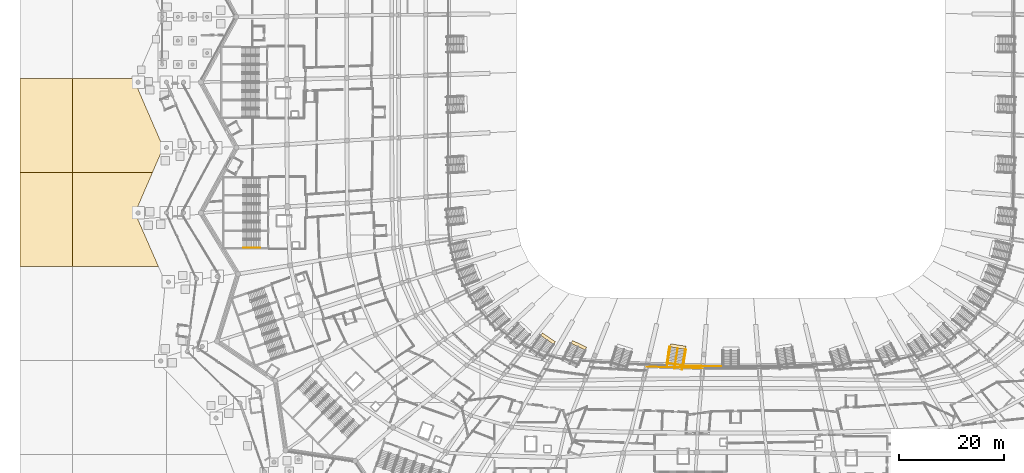
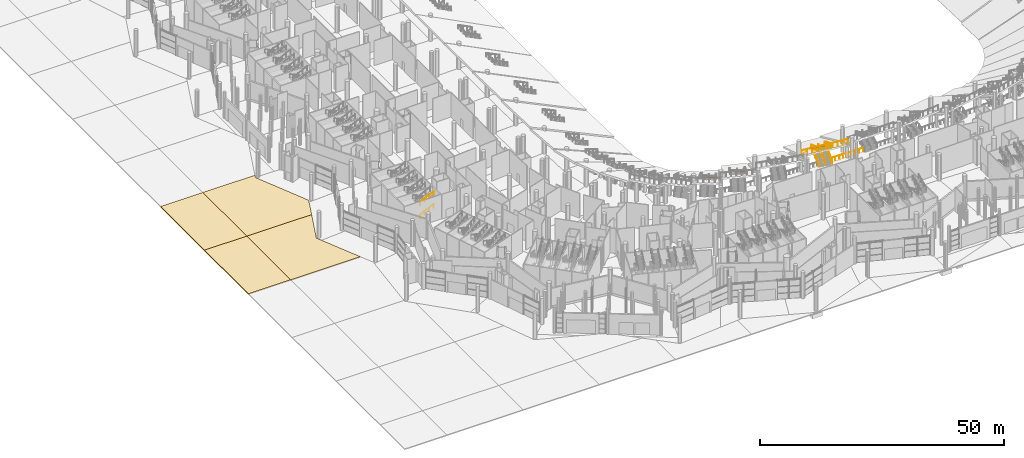
# One storey, part 196 of 255: 8 railings, 7 coverings.
"""IFC4 building model written with IfcOpenShell, lengths in metres."""

from ifc_helpers import new_model, si_unit, direction, frame, origin, origin_2d, place, context, subcontext, project, spatial, polyline, rectangle, circle, outline, extrude, material, layer, layer_set, type_object, element, save


model = new_model("IFC4")

# Units and contexts
model_context = context("Model", 3, precision=1e-05, world=origin(), true_north=direction((0.0, 1.0)))
body_context = subcontext(model_context, "Body", "Model", "MODEL_VIEW")
ifc_project = project(units=[si_unit("LENGTHUNIT", "METRE"), si_unit("AREAUNIT", "SQUARE_METRE"), si_unit("VOLUMEUNIT", "CUBIC_METRE"), si_unit("PLANEANGLEUNIT", "RADIAN"), si_unit("MASSUNIT", "GRAM", prefix="KILO")], contexts=[model_context])

# Site, building, storey
site_placement = place(None, origin())
site = spatial("IfcSite", under=ifc_project, at=site_placement, CompositionType="ELEMENT")
building_placement = place(site_placement, origin())
building = spatial("IfcBuilding", under=site, at=building_placement, Name="Meseta Stadium", CompositionType="ELEMENT")
storey_placement = place(building_placement, origin())
storey = spatial("IfcBuildingStorey", under=building, at=storey_placement, Name="L00", CompositionType="ELEMENT", Elevation=0.0)

# Coverings
ifc_material_1 = material(Name="Guadarrama granite paving on bedding", Category="masonry")
ifc_layer_1 = layer(ifc_material_1, 0.25)
ifc_layer_set_1 = layer_set([ifc_layer_1], Name="Ground paving 250")
covering_type_1 = type_object("IfcCoveringType", Name="Ground paving 250", PredefinedType="FLOORING", material=ifc_layer_set_1)
covering_1_placement = place(storey_placement, frame((0.0, 0.0, -0.25)))
element("IfcCovering", 1, at=covering_1_placement, inside=storey, type_object=covering_type_1, Name="Forecourt paving 25", PredefinedType="FLOORING", context=body_context, shape_type="SweptSolid", body=[
    extrude(outline(polyline([(-109.521240234375, -54.0), (-114.0, -43.75), (-110.652099609375, -36.0), (-126.0, -36.0), (-126.0, -54.0), (-109.521240234375, -54.0)])), origin(), (0.0, 0.0, 1.0), 0.25),
])
covering_2_placement = place(storey_placement, frame((0.0, 0.0, -0.25)))
element("IfcCovering", 2, at=covering_2_placement, inside=storey, type_object=covering_type_1, Name="Forecourt paving 26", PredefinedType="FLOORING", context=body_context, shape_type="SweptSolid", body=[
    extrude(outline(polyline([(-136.0, -36.0), (-136.0, -54.0), (-126.0, -54.0), (-126.0, -36.0), (-136.0, -36.0)])), origin(), (0.0, 0.0, 1.0), 0.25),
])
covering_3_placement = place(storey_placement, frame((0.0, 0.0, -0.25)))
element("IfcCovering", 3, at=covering_3_placement, inside=storey, type_object=covering_type_1, Name="Forecourt paving 28", PredefinedType="FLOORING", context=body_context, shape_type="SweptSolid", body=[
    extrude(outline(polyline([(-110.652099609375, -36.0), (-108.60009765625, -31.25), (-114.0, -18.75), (-113.676025390625, -18.0), (-126.0, -18.0), (-126.0, -36.0), (-110.652099609375, -36.0)])), origin(), (0.0, 0.0, 1.0), 0.25),
])
covering_4_placement = place(storey_placement, frame((0.0, 0.0, -0.25)))
element("IfcCovering", 4, at=covering_4_placement, inside=storey, type_object=covering_type_1, Name="Forecourt paving 29", PredefinedType="FLOORING", context=body_context, shape_type="SweptSolid", body=[
    extrude(outline(polyline([(-136.0, -18.0), (-136.0, -36.0), (-126.0, -36.0), (-126.0, -18.0), (-136.0, -18.0)])), origin(), (0.0, 0.0, 1.0), 0.25),
])

# Railings
ifc_material_2 = material(Name="Steel S355", Category="steel")
railing_type_1 = type_object("IfcRailingType", Name="Plate edge guard 1100", PredefinedType="GUARDRAIL", material=ifc_material_2)
railing_1_placement = place(storey_placement, frame((-9.12841796875, -72.982421875, 0.0)))
element("IfcRailing", 5, at=railing_1_placement, inside=storey, type_object=railing_type_1, Name="L00 inner edge guard 47", PredefinedType="GUARDRAIL", context=body_context, shape_type="SweptSolid", body=[
    extrude(circle(Radius=0.02490234375, at=origin_2d()), frame((0.0, 0.0, 1.0751953125), z_axis=(0.999737298967, -0.022920145151, 0.0), x_axis=(0.022920145151, 0.999737298967, 0.0)), (0.0, 0.0, 1.0), 1.981201171875),
    extrude(circle(Radius=0.02490234375, at=origin_2d()), frame((1.980712890625, -0.04541015625, 1.0751953125), z_axis=(0.99984668871, -0.017509970742, 0.0), x_axis=(0.017509970742, 0.99984668871, 0.0)), (0.0, 0.0, 1.0), 1.78466796875),
    extrude(circle(Radius=0.02490234375, at=origin_2d()), frame((3.76513671875, -0.07666015625, 1.0751953125), z_axis=(0.99991923612, -0.012709100582, 0.0), x_axis=(0.012709100582, 0.99991923612, 0.0)), (0.0, 0.0, 1.0), 1.78662109375),
    extrude(circle(Radius=0.02490234375, at=origin_2d()), frame((5.551513671875, -0.099365234375, 1.0751953125), z_axis=(0.999975107636, -0.007055785431, 0.0), x_axis=(0.007055785431, 0.999975107636, 0.0)), (0.0, 0.0, 1.0), 2.0068359375),
    extrude(circle(Radius=0.02001953125, at=origin_2d()), origin(), (0.0, 0.0, 1.0), 1.050048828125),
    extrude(circle(Radius=0.02001953125, at=origin_2d()), frame((0.990234375, -0.022705078125, 0.0)), (0.0, 0.0, 1.0), 1.050048828125),
    extrude(circle(Radius=0.02001953125, at=origin_2d()), frame((1.980712890625, -0.04541015625, 0.0)), (0.0, 0.0, 1.0), 1.050048828125),
    extrude(circle(Radius=0.02001953125, at=origin_2d()), frame((2.873046875, -0.06103515625, 0.0)), (0.0, 0.0, 1.0), 1.050048828125),
    extrude(circle(Radius=0.02001953125, at=origin_2d()), frame((3.76513671875, -0.07666015625, 0.0)), (0.0, 0.0, 1.0), 1.050048828125),
    extrude(circle(Radius=0.02001953125, at=origin_2d()), frame((4.658203125, -0.087890625, 0.0)), (0.0, 0.0, 1.0), 1.050048828125),
    extrude(circle(Radius=0.02001953125, at=origin_2d()), frame((5.551513671875, -0.099365234375, 0.0)), (0.0, 0.0, 1.0), 1.050048828125),
    extrude(circle(Radius=0.02001953125, at=origin_2d()), frame((6.554931640625, -0.1064453125, 0.0)), (0.0, 0.0, 1.0), 1.050048828125),
    extrude(circle(Radius=0.02001953125, at=origin_2d()), frame((7.558349609375, -0.113525390625, 0.0)), (0.0, 0.0, 1.0), 1.050048828125),
])
ifc_material_3 = material(Name="Steel S355", Category="steel")
railing_type_2 = type_object("IfcRailingType", Name="Stair handrail 900", PredefinedType="HANDRAIL", material=ifc_material_3)
for number, where, name in (
    (6, (-93.300048828125, -50.39990234375, 1.772705078125), "ST76 L00 handrail 2"),
    (7, (-93.300048828125, -50.39990234375, 5.022705078125), "ST76 L00 handrail 4"),
):
    element("IfcRailing", number, at=place(storey_placement, frame(where)), inside=storey, type_object=railing_type_2, Name=name, PredefinedType="HANDRAIL", context=body_context, shape_type="SweptSolid", body=[
        extrude(circle(Radius=0.02392578125, at=origin_2d()), frame((0.0, 0.0, 0.8759765625), z_axis=(0.907916804346, 0.0, 0.419150422148), x_axis=(0.0, 1.0, 0.0)), (0.0, 0.0, 1.0), 3.5244140625),
        extrude(circle(Radius=0.02099609375, at=origin_2d()), origin(), (0.0, 0.0, 1.0), 0.851806640625),
        extrude(circle(Radius=0.02099609375, at=origin_2d()), frame((1.066650390625, 0.0, 0.492431640625)), (0.0, 0.0, 1.0), 0.851806640625),
        extrude(circle(Radius=0.02099609375, at=origin_2d()), frame((2.13330078125, 0.0, 0.98486328125)), (0.0, 0.0, 1.0), 0.851806640625),
        extrude(circle(Radius=0.02099609375, at=origin_2d()), frame((3.199951171875, 0.0, 1.477294921875)), (0.0, 0.0, 1.0), 0.851806640625),
    ])
ifc_material_4 = material(Name="Steel S355", Category="steel")
railing_type_3 = type_object("IfcRailingType", Name="Stand rear guard 1300", PredefinedType="GUARDRAIL", material=ifc_material_4)
railing_2_placement = place(storey_placement, frame((-16.126953125, -73.1328125, 4.21142578125)))
element("IfcRailing", 8, at=railing_2_placement, inside=storey, type_object=railing_type_3, Name="Stand lower tier rear guard bay 46", PredefinedType="GUARDRAIL", context=body_context, shape_type="SweptSolid", body=[
    extrude(circle(Radius=0.02490234375, at=origin_2d()), frame((0.0, 0.0, 1.27490234375), z_axis=(0.997458319074, -0.030219817506, -0.064526462324), x_axis=(0.030282927239, 0.999541366987, 0.0)), (0.0, 0.0, 1.0), 10.7529296875),
    extrude(circle(Radius=0.02001953125, at=origin_2d()), origin(), (0.0, 0.0, 1.0), 1.25),
    extrude(circle(Radius=0.02001953125, at=origin_2d()), frame((1.191650390625, -0.0361328125, -0.0771484375)), (0.0, 0.0, 1.0), 1.25),
    extrude(circle(Radius=0.02001953125, at=origin_2d()), frame((2.383544921875, -0.072265625, -0.154296875)), (0.0, 0.0, 1.0), 1.25),
    extrude(circle(Radius=0.02001953125, at=origin_2d()), frame((3.5751953125, -0.1083984375, -0.231201171875)), (0.0, 0.0, 1.0), 1.25),
    extrude(circle(Radius=0.02001953125, at=origin_2d()), frame((4.766845703125, -0.14453125, -0.308349609375)), (0.0, 0.0, 1.0), 1.25),
    extrude(circle(Radius=0.02001953125, at=origin_2d()), frame((5.958740234375, -0.180419921875, -0.385498046875)), (0.0, 0.0, 1.0), 1.25),
    extrude(circle(Radius=0.02001953125, at=origin_2d()), frame((7.150390625, -0.216552734375, -0.462646484375)), (0.0, 0.0, 1.0), 1.25),
    extrude(circle(Radius=0.02001953125, at=origin_2d()), frame((8.342041015625, -0.252685546875, -0.53955078125)), (0.0, 0.0, 1.0), 1.25),
    extrude(circle(Radius=0.02001953125, at=origin_2d()), frame((9.533935546875, -0.288818359375, -0.61669921875)), (0.0, 0.0, 1.0), 1.25),
    extrude(circle(Radius=0.02001953125, at=origin_2d()), frame((10.7255859375, -0.324951171875, -0.69384765625)), (0.0, 0.0, 1.0), 1.25),
])

# Coverings
ifc_material_5 = material(Name="Stone paving", Category="masonry")
ifc_layer_2 = layer(ifc_material_5, 0.02001953125)
ifc_layer_set_2 = layer_set([ifc_layer_2], Name="Vomitory exit threshold plate 20")
covering_type_2 = type_object("IfcCoveringType", Name="Vomitory exit threshold plate 20", PredefinedType="FLOORING", material=ifc_layer_set_2)
for number, where, z_axis, x_axis, name in (
    (9, (-34.9912109375, -67.7998046875, 2.26806640625), (0.0, 0.0, 1.0), (0.567899772853, 0.82309771473, 0.0), "Vomitory V-lower-43 exit threshold"),
    (10, (-29.08740234375, -69.0712890625, 2.32080078125), (0.0, 0.0, 1.0), (0.437966379942, 0.898991351483, 0.0), "Vomitory V-lower-44 exit threshold"),
    (11, (-10.1357421875, -69.314453125, 1.963134765625), (0.0, 0.0, 1.0), (0.15676715754, 0.987635589839, 0.0), "Vomitory V-lower-46 exit threshold"),
):
    element("IfcCovering", number, at=place(storey_placement, frame(where, z_axis=z_axis, x_axis=x_axis)), inside=storey, type_object=covering_type_2, Name=name, PredefinedType="FLOORING", context=body_context, shape_type="SweptSolid", body=[
        extrude(rectangle(XDim=0.60009765625, YDim=3.0, at=origin_2d()), origin(), (0.0, 0.0, 1.0), 0.02001953125),
    ])

# Railings
ifc_material_6 = material(Name="Steel S355", Category="steel")
railing_type_4 = type_object("IfcRailingType", Name="Vomitory slot guard 1100", PredefinedType="GUARDRAIL", material=ifc_material_6)
railing_3_placement = place(storey_placement, frame((-8.609130859375, -69.902099609375, 1.983154296875)))
element("IfcRailing", 12, at=railing_3_placement, inside=storey, type_object=railing_type_4, Name="Vomitory V-lower-46 slot guard", PredefinedType="GUARDRAIL", context=body_context, shape_type="SweptSolid", body=[
    extrude(circle(Radius=0.02490234375, at=origin_2d()), frame((0.0, 0.0, 1.0751953125), z_axis=(-0.139610332251, -0.879825716963, 0.454329905355), x_axis=(0.98764326903, -0.156718770861, 0.0)), (0.0, 0.0, 1.0), 3.47998046875),
    extrude(circle(Radius=0.02490234375, at=origin_2d()), frame((-0.48583984375, -3.061767578125, 2.65625), z_axis=(-0.987634591008, 0.156773450063, 0.0), x_axis=(-0.156773450063, -0.987634591008, 0.0)), (0.0, 0.0, 1.0), 3.2001953125),
    extrude(circle(Radius=0.02490234375, at=origin_2d()), frame((-3.646484375, -2.56005859375, 2.65625), z_axis=(0.139687741753, 0.879801246401, -0.45435349854), x_axis=(-0.987629140267, 0.156807784551, 0.0)), (0.0, 0.0, 1.0), 3.479736328125),
    extrude(circle(Radius=0.02001953125, at=origin_2d()), origin(), (0.0, 0.0, 1.0), 1.050048828125),
    extrude(circle(Radius=0.02001953125, at=origin_2d()), frame((-0.161865234375, -1.0205078125, 0.527099609375)), (0.0, 0.0, 1.0), 1.050048828125),
    extrude(circle(Radius=0.02001953125, at=origin_2d()), frame((-0.323974609375, -2.041259765625, 1.053955078125)), (0.0, 0.0, 1.0), 1.050048828125),
    extrude(circle(Radius=0.02001953125, at=origin_2d()), frame((-0.48583984375, -3.061767578125, 1.5810546875)), (0.0, 0.0, 1.0), 1.050048828125),
    extrude(circle(Radius=0.02001953125, at=origin_2d()), frame((-1.539306640625, -2.89453125, 1.5810546875)), (0.0, 0.0, 1.0), 1.050048828125),
    extrude(circle(Radius=0.02001953125, at=origin_2d()), frame((-2.593017578125, -2.727294921875, 1.5810546875)), (0.0, 0.0, 1.0), 1.050048828125),
    extrude(circle(Radius=0.02001953125, at=origin_2d()), frame((-3.646484375, -2.56005859375, 1.5810546875)), (0.0, 0.0, 1.0), 1.050048828125),
    extrude(circle(Radius=0.02001953125, at=origin_2d()), frame((-3.484375, -1.53955078125, 1.053955078125)), (0.0, 0.0, 1.0), 1.050048828125),
    extrude(circle(Radius=0.02001953125, at=origin_2d()), frame((-3.322509765625, -0.51904296875, 0.527099609375)), (0.0, 0.0, 1.0), 1.050048828125),
    extrude(circle(Radius=0.02001953125, at=origin_2d()), frame((-3.160400390625, 0.50146484375, 0.0)), (0.0, 0.0, 1.0), 1.050048828125),
])
ifc_material_7 = material(Name="Steel S355", Category="steel")
railing_type_5 = type_object("IfcRailingType", Name="Vomitory stair guard 1100", PredefinedType="GUARDRAIL", material=ifc_material_7)
for number, where, name in (
    (13, (-12.23583984375, -73.295654296875, 0.132080078125), "Vomitory V-lower-46 guard left"),
    (14, (-9.37158203125, -73.750244140625, 0.132080078125), "Vomitory V-lower-46 guard right"),
):
    element("IfcRailing", number, at=place(storey_placement, frame(where)), inside=storey, type_object=railing_type_5, Name=name, PredefinedType="GUARDRAIL", context=body_context, shape_type="SweptSolid", body=[
        extrude(circle(Radius=0.02490234375, at=origin_2d()), frame((0.0, 0.0, 1.0751953125), z_axis=(0.141749810078, 0.89307448876, 0.42699525626), x_axis=(-0.987636905965, 0.156758865703, 0.0)), (0.0, 0.0, 1.0), 4.335205078125),
        extrude(circle(Radius=0.02001953125, at=origin_2d()), origin(), (0.0, 0.0, 1.0), 1.050048828125),
        extrude(circle(Radius=0.02001953125, at=origin_2d()), frame((0.153564453125, 0.9677734375, 0.462890625)), (0.0, 0.0, 1.0), 1.050048828125),
        extrude(circle(Radius=0.02001953125, at=origin_2d()), frame((0.30712890625, 1.935791015625, 0.925537109375)), (0.0, 0.0, 1.0), 1.050048828125),
        extrude(circle(Radius=0.02001953125, at=origin_2d()), frame((0.4609375, 2.90380859375, 1.38818359375)), (0.0, 0.0, 1.0), 1.050048828125),
        extrude(circle(Radius=0.02001953125, at=origin_2d()), frame((0.614501953125, 3.87158203125, 1.85107421875)), (0.0, 0.0, 1.0), 1.050048828125),
    ])
ifc_material_8 = material(Name="Steel S355", Category="steel")
railing_type_6 = type_object("IfcRailingType", Name="Vomitory stair handrail 900", PredefinedType="HANDRAIL", material=ifc_material_8)
railing_4_placement = place(storey_placement, frame((-10.8037109375, -73.52294921875, 0.132080078125)))
element("IfcRailing", 15, at=railing_4_placement, inside=storey, type_object=railing_type_6, Name="Vomitory V-lower-46 central handrail", PredefinedType="HANDRAIL", context=body_context, shape_type="SweptSolid", body=[
    extrude(circle(Radius=0.02490234375, at=origin_2d()), frame((0.0, 0.0, 0.875), z_axis=(0.141749810078, 0.89307448876, 0.42699525626), x_axis=(-0.987636905965, 0.156758865703, 0.0)), (0.0, 0.0, 1.0), 4.335205078125),
    extrude(circle(Radius=0.02001953125, at=origin_2d()), origin(), (0.0, 0.0, 1.0), 0.849853515625),
    extrude(circle(Radius=0.02001953125, at=origin_2d()), frame((0.153564453125, 0.9677734375, 0.462890625)), (0.0, 0.0, 1.0), 0.849853515625),
    extrude(circle(Radius=0.02001953125, at=origin_2d()), frame((0.30712890625, 1.935791015625, 0.925537109375)), (0.0, 0.0, 1.0), 0.849853515625),
    extrude(circle(Radius=0.02001953125, at=origin_2d()), frame((0.4609375, 2.90380859375, 1.38818359375)), (0.0, 0.0, 1.0), 0.849853515625),
    extrude(circle(Radius=0.02001953125, at=origin_2d()), frame((0.614501953125, 3.87158203125, 1.85107421875)), (0.0, 0.0, 1.0), 0.849853515625),
])

save(model, "model.ifc")
